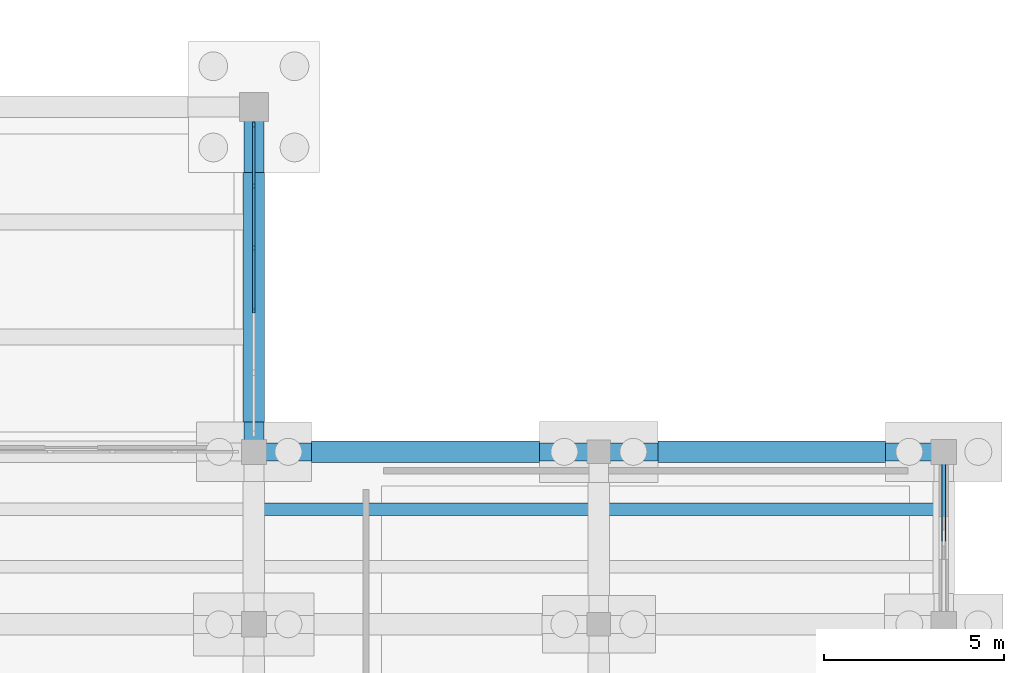
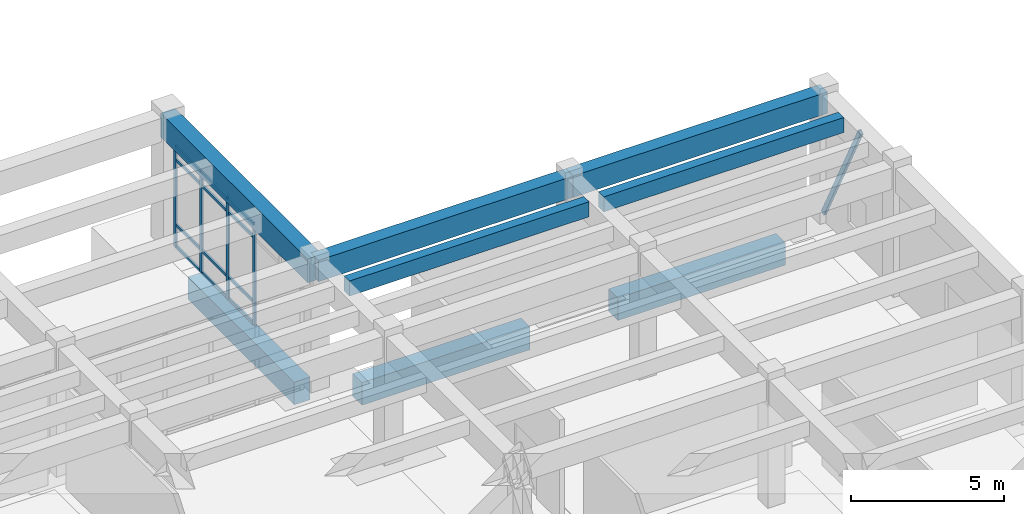
# One storey, part 54 of 102: 17 members, 8 beams, 1 element without a shape of its own.
"""IFC4 building model written with IfcOpenShell, lengths in metres."""

from ifc_helpers import new_model, si_unit, direction, frame, origin, origin_2d, place, context, subcontext, project, spatial, rectangle, hollow_rectangle, extrude, material, layer, layer_set, material_profile, profile_set, type_object, element, aggregate, save


model = new_model("IFC4")

# Units and contexts
model_context = context("Model", 3, precision=1e-05, world=origin(), true_north=direction((0.0, 1.0)))
body_context = subcontext(model_context, "Body", "Model", "MODEL_VIEW")
ifc_project = project(units=[si_unit("LENGTHUNIT", "METRE"), si_unit("AREAUNIT", "SQUARE_METRE"), si_unit("VOLUMEUNIT", "CUBIC_METRE"), si_unit("PLANEANGLEUNIT", "RADIAN"), si_unit("MASSUNIT", "GRAM", prefix="KILO")], contexts=[model_context])

# Site, building, storey
site_placement = place(None, origin())
site = spatial("IfcSite", under=ifc_project, at=site_placement, CompositionType="ELEMENT")
building_placement = place(site_placement, origin())
building = spatial("IfcBuilding", under=site, at=building_placement, Name="Kolvemor Railside Polytechnic", CompositionType="ELEMENT")
storey_placement = place(building_placement, origin())
storey = spatial("IfcBuildingStorey", under=building, at=storey_placement, Name="L00", CompositionType="ELEMENT", Elevation=0.0)

# Beams
ifc_material_1 = material(Name="Concrete C40/50", Category="concrete")
ifc_material_profile_1 = material_profile(ifc_material_1, rectangle(XDim=0.550048828125, YDim=0.949951171875, at=origin_2d()), Name="RC550x950")
ifc_profile_set_1 = profile_set([ifc_material_profile_1], Name="Concrete C40/50")
beam_type_1 = type_object("IfcBeamType", Name="BM-RC-GIRD", PredefinedType="BEAM", material=ifc_profile_set_1)
beam_1_placement = place(storey_placement, frame((163.199951171875, 81.60009765625, 4.635009765625), z_axis=(0.0, 1.0, 0.0), x_axis=(-1.0, 0.0, 0.0)))
element("IfcBeam", 1, at=beam_1_placement, inside=storey, type_object=beam_type_1, Name="Primary Girder L01-GY 1063", PredefinedType="BEAM", context=body_context, shape_type="SweptSolid", body=[
    extrude(rectangle(XDim=0.550048828125, YDim=0.949951171875, at=origin_2d()), origin(), (0.0, 0.0, 1.0), 9.599853515625),
])
ifc_material_2 = material(Name="Concrete C40/50", Category="concrete")
ifc_material_profile_2 = material_profile(ifc_material_2, rectangle(XDim=0.5, YDim=0.85009765625, at=origin_2d()), Name="RC500x850")
ifc_profile_set_2 = profile_set([ifc_material_profile_2], Name="Concrete C40/50")
beam_type_2 = type_object("IfcBeamType", Name="BM-RC-GIRD3", PredefinedType="BEAM", material=ifc_profile_set_2)
beam_2_placement = place(storey_placement, frame((163.199951171875, 81.60009765625, 4.68505859375), z_axis=(1.0, 0.0, 0.0), x_axis=(0.0, 1.0, 0.0)))
element("IfcBeam", 2, at=beam_2_placement, inside=storey, type_object=beam_type_2, Name="Primary Girder L01-GX 0376", PredefinedType="BEAM", context=body_context, shape_type="SweptSolid", body=[
    extrude(rectangle(XDim=0.5, YDim=0.85009765625, at=origin_2d()), origin(), (0.0, 0.0, 1.0), 9.60009765625),
])
beam_3_placement = place(storey_placement, frame((172.800048828125, 81.60009765625, 4.68505859375), z_axis=(1.0, 0.0, 0.0), x_axis=(0.0, 1.0, 0.0)))
element("IfcBeam", 3, at=beam_3_placement, inside=storey, type_object=beam_type_2, Name="Primary Girder L01-GX 0377", PredefinedType="BEAM", context=body_context, shape_type="SweptSolid", body=[
    extrude(rectangle(XDim=0.5, YDim=0.85009765625, at=origin_2d()), origin(), (0.0, 0.0, 1.0), 9.599853515625),
])
ifc_material_3 = material(Name="Concrete C40/50", Category="concrete")
ifc_material_profile_3 = material_profile(ifc_material_3, rectangle(XDim=0.35009765625, YDim=0.60009765625, at=origin_2d()), Name="RC350x600")
ifc_profile_set_3 = profile_set([ifc_material_profile_3], Name="Concrete C40/50")
beam_type_3 = type_object("IfcBeamType", Name="BM-RC-SEC3", PredefinedType="JOIST", material=ifc_profile_set_3)
beam_4_placement = place(storey_placement, frame((163.47509765625, 80.0, 4.81005859375), z_axis=(1.0, 0.0, 0.0), x_axis=(0.0, 1.0, 0.0)))
element("IfcBeam", 4, at=beam_4_placement, inside=storey, type_object=beam_type_3, Name="Floor Joist L01-J0472", PredefinedType="JOIST", context=body_context, shape_type="SweptSolid", body=[
    extrude(rectangle(XDim=0.35009765625, YDim=0.60009765625, at=origin_2d()), origin(), (0.0, 0.0, 1.0), 9.0498046875),
])
beam_5_placement = place(storey_placement, frame((173.074951171875, 80.0, 4.81005859375), z_axis=(1.0, 0.0, 0.0), x_axis=(0.0, 1.0, 0.0)))
element("IfcBeam", 5, at=beam_5_placement, inside=storey, type_object=beam_type_3, Name="Floor Joist L01-J0490", PredefinedType="JOIST", context=body_context, shape_type="SweptSolid", body=[
    extrude(rectangle(XDim=0.35009765625, YDim=0.60009765625, at=origin_2d()), origin(), (0.0, 0.0, 1.0), 9.050048828125),
])
ifc_material_4 = material(Name="Concrete C40/50", Category="concrete")
ifc_material_profile_4 = material_profile(ifc_material_4, rectangle(XDim=0.60009765625, YDim=0.89990234375, at=origin_2d()), Name="RC600x900")
ifc_profile_set_4 = profile_set([ifc_material_profile_4], Name="Concrete C40/50")
beam_type_4 = type_object("IfcBeamType", Name="BM-RC-TIE", PredefinedType="BEAM", material=ifc_profile_set_4)
beam_6_placement = place(storey_placement, frame((164.802001953125, 81.60009765625, -0.75), z_axis=(1.0, 0.0, 0.0), x_axis=(0.0, 1.0, 0.0)))
element("IfcBeam", 6, at=beam_6_placement, inside=storey, type_object=beam_type_4, Name="Ground Tie Beam GTB-X183", PredefinedType="BEAM", context=body_context, shape_type="SweptSolid", body=[
    extrude(rectangle(XDim=0.60009765625, YDim=0.89990234375, at=origin_2d()), origin(), (0.0, 0.0, 1.0), 6.345947265625),
])
beam_7_placement = place(storey_placement, frame((174.451904296875, 81.60009765625, -0.75), z_axis=(1.0, 0.0, 0.0), x_axis=(0.0, 1.0, 0.0)))
element("IfcBeam", 7, at=beam_7_placement, inside=storey, type_object=beam_type_4, Name="Ground Tie Beam GTB-X184", PredefinedType="BEAM", context=body_context, shape_type="SweptSolid", body=[
    extrude(rectangle(XDim=0.60009765625, YDim=0.89990234375, at=origin_2d()), origin(), (0.0, 0.0, 1.0), 6.321044921875),
])
beam_8_placement = place(storey_placement, frame((163.199951171875, 82.427001953125, -0.75), z_axis=(0.0, 1.0, 0.0), x_axis=(-1.0, 0.0, 0.0)))
element("IfcBeam", 8, at=beam_8_placement, inside=storey, type_object=beam_type_4, Name="Ground Tie Beam GTB-Y427", PredefinedType="BEAM", context=body_context, shape_type="SweptSolid", body=[
    extrude(rectangle(XDim=0.60009765625, YDim=0.89990234375, at=origin_2d()), origin(), (0.0, 0.0, 1.0), 6.946044921875),
])

# Curtain wall, members
ifc_material_5 = material(Name="Anodised marine aluminium and laminated low-E glass", Category="aluminium")
ifc_layer = layer(ifc_material_5, 0.179931640625, Name="CW-UNIT-STD")
ifc_layer_set = layer_set([ifc_layer], Name="Anodised marine aluminium and laminated low-E glass")
curtain_wall_type = type_object("IfcCurtainWallType", Name="CW-UNIT-STD", PredefinedType="USERDEFINED", material=ifc_layer_set)
curtain_wall_placement = place(storey_placement, origin())
curtain_wall = element("IfcCurtainWall", 9, at=curtain_wall_placement, inside=storey, type_object=curtain_wall_type, Name="Curtain Wall L00-035", ObjectType="UNITISED CURTAIN WALL", PredefinedType="USERDEFINED")
ifc_material_6 = material(Name="Anodised marine aluminium 6063-T6", Category="aluminium")
ifc_material_profile_5 = material_profile(ifc_material_6, rectangle(XDim=0.06494140625, YDim=0.14990234375, at=origin_2d()), Name="CW-MUL-65x150")
ifc_profile_set_5 = profile_set([ifc_material_profile_5], Name="Anodised marine aluminium 6063-T6")
member_type_1 = type_object("IfcMemberType", Name="CWM-65x150", PredefinedType="MULLION", material=ifc_profile_set_5)
member_1_placement = place(storey_placement, frame((163.199951171875, 85.533935546875, 0.0), z_axis=(0.0, 0.0, 1.0), x_axis=(-1.0, 0.0, 0.0)))
member_1 = element("IfcMember", 10, at=member_1_placement, type_object=member_type_1, Name="CW-STD mullion 3", PredefinedType="MULLION", context=body_context, shape_type="SweptSolid", body=[
    extrude(rectangle(XDim=0.06494140625, YDim=0.14990234375, at=origin_2d()), origin(), (0.0, 0.0, 1.0), 4.0400390625),
])
member_2_placement = place(storey_placement, frame((163.199951171875, 87.26611328125, 0.0), z_axis=(0.0, 0.0, 1.0), x_axis=(-1.0, 0.0, 0.0)))
member_2 = element("IfcMember", 11, at=member_2_placement, type_object=member_type_1, Name="CW-STD mullion 4", PredefinedType="MULLION", context=body_context, shape_type="SweptSolid", body=[
    extrude(rectangle(XDim=0.06494140625, YDim=0.14990234375, at=origin_2d()), origin(), (0.0, 0.0, 1.0), 4.0400390625),
])
member_3_placement = place(storey_placement, frame((163.199951171875, 88.998046875, 0.0), z_axis=(0.0, 0.0, 1.0), x_axis=(-1.0, 0.0, 0.0)))
member_3 = element("IfcMember", 12, at=member_3_placement, type_object=member_type_1, Name="CW-STD mullion 5", PredefinedType="MULLION", context=body_context, shape_type="SweptSolid", body=[
    extrude(rectangle(XDim=0.06494140625, YDim=0.14990234375, at=origin_2d()), origin(), (0.0, 0.0, 1.0), 4.0400390625),
])
member_4_placement = place(storey_placement, frame((163.199951171875, 90.697509765625, 0.0), z_axis=(0.0, 0.0, 1.0), x_axis=(-1.0, 0.0, 0.0)))
member_4 = element("IfcMember", 13, at=member_4_placement, type_object=member_type_1, Name="CW-STD mullion 6", PredefinedType="MULLION", context=body_context, shape_type="SweptSolid", body=[
    extrude(rectangle(XDim=0.06494140625, YDim=0.14990234375, at=origin_2d()), origin(), (0.0, 0.0, 1.0), 4.0400390625),
])
ifc_material_7 = material(Name="Anodised marine aluminium 6063-T6", Category="aluminium")
ifc_material_profile_6 = material_profile(ifc_material_7, rectangle(XDim=0.06494140625, YDim=0.1201171875, at=origin_2d()), Name="CW-TRN-65x120")
ifc_profile_set_6 = profile_set([ifc_material_profile_6], Name="Anodised marine aluminium 6063-T6")
member_type_2 = type_object("IfcMemberType", Name="CWT-65x120", PredefinedType="USERDEFINED", material=ifc_profile_set_6)
member_5_placement = place(storey_placement, frame((163.199951171875, 85.56640625, 0.032470703125), z_axis=(0.0, 1.0, 0.0), x_axis=(-1.0, 0.0, 0.0)))
member_5 = element("IfcMember", 14, at=member_5_placement, type_object=member_type_2, Name="CW-STD transom 3.1", ObjectType="TRANSOM", PredefinedType="USERDEFINED", context=body_context, shape_type="SweptSolid", body=[
    extrude(rectangle(XDim=0.06494140625, YDim=0.1201171875, at=origin_2d()), origin(), (0.0, 0.0, 1.0), 1.6669921875),
])
member_6_placement = place(storey_placement, frame((163.199951171875, 85.56640625, 0.89990234375), z_axis=(0.0, 1.0, 0.0), x_axis=(-1.0, 0.0, 0.0)))
member_6 = element("IfcMember", 15, at=member_6_placement, type_object=member_type_2, Name="CW-STD transom 3.2", ObjectType="TRANSOM", PredefinedType="USERDEFINED", context=body_context, shape_type="SweptSolid", body=[
    extrude(rectangle(XDim=0.06494140625, YDim=0.1201171875, at=origin_2d()), origin(), (0.0, 0.0, 1.0), 1.6669921875),
])
member_7_placement = place(storey_placement, frame((163.199951171875, 85.56640625, 3.489990234375), z_axis=(0.0, 1.0, 0.0), x_axis=(-1.0, 0.0, 0.0)))
member_7 = element("IfcMember", 16, at=member_7_placement, type_object=member_type_2, Name="CW-STD transom 3.3", ObjectType="TRANSOM", PredefinedType="USERDEFINED", context=body_context, shape_type="SweptSolid", body=[
    extrude(rectangle(XDim=0.06494140625, YDim=0.1201171875, at=origin_2d()), origin(), (0.0, 0.0, 1.0), 1.6669921875),
])
member_8_placement = place(storey_placement, frame((163.199951171875, 85.56640625, 4.007568359375), z_axis=(0.0, 1.0, 0.0), x_axis=(-1.0, 0.0, 0.0)))
member_8 = element("IfcMember", 17, at=member_8_placement, type_object=member_type_2, Name="CW-STD transom 3.4", ObjectType="TRANSOM", PredefinedType="USERDEFINED", context=body_context, shape_type="SweptSolid", body=[
    extrude(rectangle(XDim=0.06494140625, YDim=0.1201171875, at=origin_2d()), origin(), (0.0, 0.0, 1.0), 1.6669921875),
])
member_9_placement = place(storey_placement, frame((163.199951171875, 87.298583984375, 0.032470703125), z_axis=(0.0, 1.0, 0.0), x_axis=(-1.0, 0.0, 0.0)))
member_9 = element("IfcMember", 18, at=member_9_placement, type_object=member_type_2, Name="CW-STD transom 4.1", ObjectType="TRANSOM", PredefinedType="USERDEFINED", context=body_context, shape_type="SweptSolid", body=[
    extrude(rectangle(XDim=0.06494140625, YDim=0.1201171875, at=origin_2d()), origin(), (0.0, 0.0, 1.0), 1.6669921875),
])
member_10_placement = place(storey_placement, frame((163.199951171875, 87.298583984375, 0.89990234375), z_axis=(0.0, 1.0, 0.0), x_axis=(-1.0, 0.0, 0.0)))
member_10 = element("IfcMember", 19, at=member_10_placement, type_object=member_type_2, Name="CW-STD transom 4.2", ObjectType="TRANSOM", PredefinedType="USERDEFINED", context=body_context, shape_type="SweptSolid", body=[
    extrude(rectangle(XDim=0.06494140625, YDim=0.1201171875, at=origin_2d()), origin(), (0.0, 0.0, 1.0), 1.6669921875),
])
member_11_placement = place(storey_placement, frame((163.199951171875, 87.298583984375, 3.489990234375), z_axis=(0.0, 1.0, 0.0), x_axis=(-1.0, 0.0, 0.0)))
member_11 = element("IfcMember", 20, at=member_11_placement, type_object=member_type_2, Name="CW-STD transom 4.3", ObjectType="TRANSOM", PredefinedType="USERDEFINED", context=body_context, shape_type="SweptSolid", body=[
    extrude(rectangle(XDim=0.06494140625, YDim=0.1201171875, at=origin_2d()), origin(), (0.0, 0.0, 1.0), 1.6669921875),
])
member_12_placement = place(storey_placement, frame((163.199951171875, 87.298583984375, 4.007568359375), z_axis=(0.0, 1.0, 0.0), x_axis=(-1.0, 0.0, 0.0)))
member_12 = element("IfcMember", 21, at=member_12_placement, type_object=member_type_2, Name="CW-STD transom 4.4", ObjectType="TRANSOM", PredefinedType="USERDEFINED", context=body_context, shape_type="SweptSolid", body=[
    extrude(rectangle(XDim=0.06494140625, YDim=0.1201171875, at=origin_2d()), origin(), (0.0, 0.0, 1.0), 1.6669921875),
])
member_13_placement = place(storey_placement, frame((163.199951171875, 89.030517578125, 0.032470703125), z_axis=(0.0, 1.0, 0.0), x_axis=(-1.0, 0.0, 0.0)))
member_13 = element("IfcMember", 22, at=member_13_placement, type_object=member_type_2, Name="CW-STD transom 5.1", ObjectType="TRANSOM", PredefinedType="USERDEFINED", context=body_context, shape_type="SweptSolid", body=[
    extrude(rectangle(XDim=0.06494140625, YDim=0.1201171875, at=origin_2d()), origin(), (0.0, 0.0, 1.0), 1.634521484375),
])
member_14_placement = place(storey_placement, frame((163.199951171875, 89.030517578125, 0.89990234375), z_axis=(0.0, 1.0, 0.0), x_axis=(-1.0, 0.0, 0.0)))
member_14 = element("IfcMember", 23, at=member_14_placement, type_object=member_type_2, Name="CW-STD transom 5.2", ObjectType="TRANSOM", PredefinedType="USERDEFINED", context=body_context, shape_type="SweptSolid", body=[
    extrude(rectangle(XDim=0.06494140625, YDim=0.1201171875, at=origin_2d()), origin(), (0.0, 0.0, 1.0), 1.634521484375),
])
member_15_placement = place(storey_placement, frame((163.199951171875, 89.030517578125, 3.489990234375), z_axis=(0.0, 1.0, 0.0), x_axis=(-1.0, 0.0, 0.0)))
member_15 = element("IfcMember", 24, at=member_15_placement, type_object=member_type_2, Name="CW-STD transom 5.3", ObjectType="TRANSOM", PredefinedType="USERDEFINED", context=body_context, shape_type="SweptSolid", body=[
    extrude(rectangle(XDim=0.06494140625, YDim=0.1201171875, at=origin_2d()), origin(), (0.0, 0.0, 1.0), 1.634521484375),
])
member_16_placement = place(storey_placement, frame((163.199951171875, 89.030517578125, 4.007568359375), z_axis=(0.0, 1.0, 0.0), x_axis=(-1.0, 0.0, 0.0)))
member_16 = element("IfcMember", 25, at=member_16_placement, type_object=member_type_2, Name="CW-STD transom 5.4", ObjectType="TRANSOM", PredefinedType="USERDEFINED", context=body_context, shape_type="SweptSolid", body=[
    extrude(rectangle(XDim=0.06494140625, YDim=0.1201171875, at=origin_2d()), origin(), (0.0, 0.0, 1.0), 1.634521484375),
])
aggregate(curtain_wall, [member_1, member_2, member_3, member_4, member_5, member_6, member_7, member_8, member_9, member_10, member_11, member_12, member_13, member_14, member_15, member_16])

# Member
ifc_material_8 = material(Name="Steel S355", Category="steel")
ifc_material_profile_7 = material_profile(ifc_material_8, hollow_rectangle(XDim=0.1201171875, YDim=0.199951171875, WallThickness=0.008056640625, InnerFilletRadius=0.008056640625, OuterFilletRadius=0.01611328125, at=origin_2d()), Name="HSS200x120x8")
ifc_profile_set_7 = profile_set([ifc_material_profile_7], Name="Steel S355")
member_type_3 = type_object("IfcMemberType", Name="MEM-BR-HSS2", PredefinedType="BRACE", material=ifc_profile_set_7)
member_17_placement = place(storey_placement, frame((182.39990234375, 81.60009765625, 0.14990234375), z_axis=(0.0, -0.457875166651, 0.889016496902), x_axis=(1.0, 0.0, 0.0)))
element("IfcMember", 26, at=member_17_placement, inside=storey, type_object=member_type_3, Name="Wind Chevron Brace BR-07B", PredefinedType="BRACE", context=body_context, shape_type="SweptSolid", body=[
    extrude(hollow_rectangle(XDim=0.1201171875, YDim=0.199951171875, WallThickness=0.008056640625, InnerFilletRadius=0.008056640625, OuterFilletRadius=0.01611328125, at=origin_2d()), origin(), (0.0, 0.0, 1.0), 5.241943359375),
])

save(model, "model.ifc")
